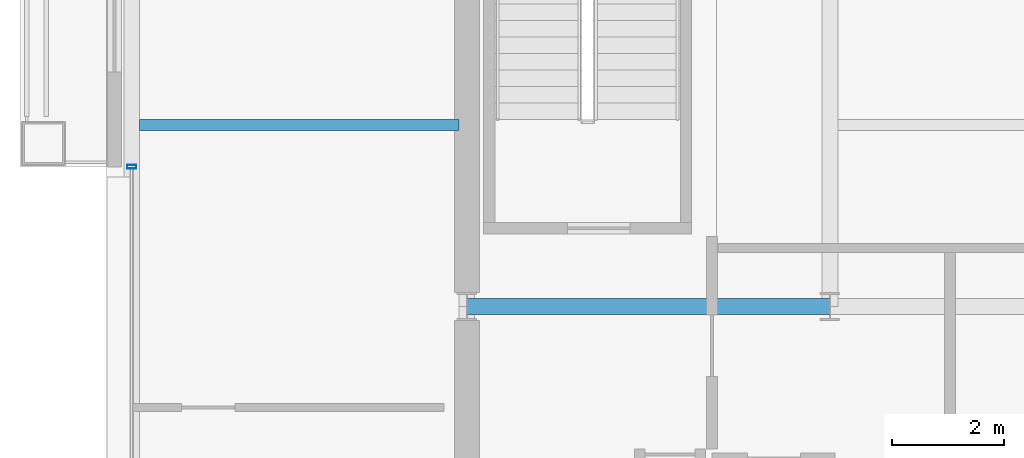
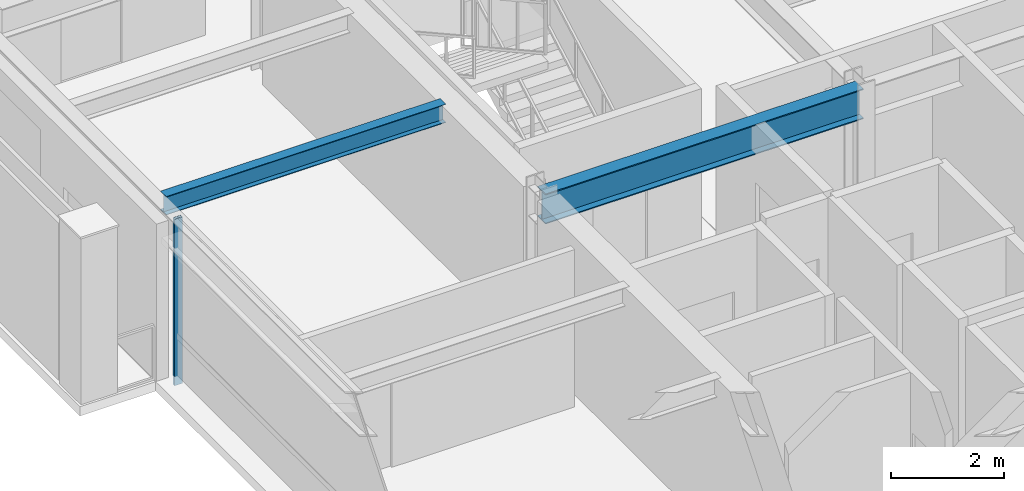
# One storey, part 10 of 30: 2 beams, 1 member, 1 element without a shape of its own.
"""IFC4 building model written with IfcOpenShell, lengths in metres."""

import ifcopenshell
import ifcopenshell.guid

model = None  # the IFC model being written
_history = None  # IfcOwnerHistory: only IFC2X3 demands one
_inside = {}  # id of a spatial element -> (the spatial element, [elements in it])
_under = {}  # id of a project, library or spatial element -> (it, [spatial elements below it])
_declared = {}  # id of a project -> (the project, [libraries it declares])
_typed = {}  # id of a type object -> (the type object, [elements of that type])
_made_of = {}  # id of a material, layer set ... -> (it, [elements and type objects made of it])


def new_model(schema):
    """Start an empty IFC model of exactly this schema.

    Asked for "IFC4X3", IfcOpenShell would pick the latest addendum, in which some entities
    have other attributes; the version numbers below select the first issue.
    IFC2X3 requires an IfcOwnerHistory on every rooted entity: one is made here for all.
    """
    global model, _history
    if schema == "IFC4X3":
        model = ifcopenshell.file(schema_version=(4, 3, 0, 0))
    else:
        model = ifcopenshell.file(schema=schema)
    _inside.clear()
    _under.clear()
    _declared.clear()
    _typed.clear()
    _made_of.clear()
    _history = None
    if model.schema == "IFC2X3":
        org = make("IfcOrganization", Name="unknown")
        user = make(
            "IfcPersonAndOrganization",
            ThePerson=make("IfcPerson", FamilyName="unknown"),
            TheOrganization=org,
        )
        app = make(
            "IfcApplication",
            ApplicationDeveloper=org,
            Version="unknown",
            ApplicationFullName="unknown",
            ApplicationIdentifier="unknown",
        )
        _history = make(
            "IfcOwnerHistory",
            OwningUser=user,
            OwningApplication=app,
            ChangeAction="ADDED",
            CreationDate=0,
        )
    return model


def make(cls, **values):
    """One entity of the class cls with the attributes given. An attribute that is None is left unset."""
    return model.create_entity(
        cls, **{name: value for name, value in values.items() if value is not None}
    )


def rooted(cls, **values):
    """An entity with a GlobalId (a new one), such as an element, a storey or a relation."""
    return make(cls, GlobalId=ifcopenshell.guid.new(), OwnerHistory=_history, **values)


def si_unit(unit_type, name, prefix=None):
    """IfcSIUnit, for example si_unit("LENGTHUNIT", "METRE", prefix="MILLI")."""
    return make("IfcSIUnit", UnitType=unit_type, Prefix=prefix, Name=name)


def assignment(units):
    """IfcUnitAssignment: the units of a project."""
    return None if units is None else make("IfcUnitAssignment", Units=units)


def point(xyz):
    """IfcCartesianPoint."""
    return None if xyz is None else make("IfcCartesianPoint", Coordinates=xyz)


def direction(xyz):
    """IfcDirection."""
    return None if xyz is None else make("IfcDirection", DirectionRatios=xyz)


def frame(location, z_axis=None, x_axis=None):
    """IfcAxis2Placement3D, a coordinate frame: its origin and axes. An axis left out is left unset."""
    return make(
        "IfcAxis2Placement3D",
        Location=point(location),
        Axis=direction(z_axis),
        RefDirection=direction(x_axis),
    )


def frame_2d(location, x_axis=None):
    """IfcAxis2Placement2D, a coordinate frame in the plane: its origin and x axis."""
    return make(
        "IfcAxis2Placement2D", Location=point(location), RefDirection=direction(x_axis)
    )


def origin():
    """The frame at (0, 0, 0) with its axes left unset."""
    return frame((0.0, 0.0, 0.0))


def origin_2d():
    """The frame at (0, 0) in the plane with its x axis left unset."""
    return frame_2d((0.0, 0.0))


def place(relative_to, where):
    """IfcLocalPlacement: puts the frame where relative to a parent placement (None: the world)."""
    return make(
        "IfcLocalPlacement", PlacementRelTo=relative_to, RelativePlacement=where
    )


def context(
    kind, dimensions, precision=None, world=None, true_north=None, identifier=None
):
    """IfcGeometricRepresentationContext, for example the 3D "Model" context."""
    return make(
        "IfcGeometricRepresentationContext",
        ContextIdentifier=identifier,
        ContextType=kind,
        CoordinateSpaceDimension=dimensions,
        Precision=precision,
        WorldCoordinateSystem=world,
        TrueNorth=true_north,
    )


def subcontext(parent, identifier, kind, view, scale=None):
    """IfcGeometricRepresentationSubContext, for example "Body" below "Model"."""
    return make(
        "IfcGeometricRepresentationSubContext",
        ContextIdentifier=identifier,
        ContextType=kind,
        ParentContext=parent,
        TargetScale=scale,
        TargetView=view,
    )


def project(units=None, contexts=None):
    """IfcProject with its units and contexts."""
    return rooted(
        "IfcProject",
        Name="project",
        RepresentationContexts=contexts,
        UnitsInContext=assignment(units),
    )


def spatial(cls, under=None, at=None, **own):
    """A site, building, storey or space (cls), placed at a placement, below another one or the project."""
    s = rooted(cls, ObjectPlacement=at, **own)
    if under is not None:
        _under.setdefault(under.id(), (under, []))[1].append(s)
    return s


def profile(cls, at=None, kind="AREA", **sizes):
    """A parametric profile (cls). Its sizes go by their IFC names, for example OverallWidth=200.0."""
    return make(cls, ProfileType=kind, Position=at, **sizes)


def hollow_rectangle(**sizes):
    """IfcRectangleHollowProfileDef."""
    return profile("IfcRectangleHollowProfileDef", **sizes)


def i_section(**sizes):
    """IfcIShapeProfileDef."""
    return profile("IfcIShapeProfileDef", **sizes)


def extrude(swept, where, along, depth):
    """IfcExtrudedAreaSolid: the profile swept, set in the frame where, extruded along a direction by depth."""
    return make(
        "IfcExtrudedAreaSolid",
        SweptArea=swept,
        Position=where,
        ExtrudedDirection=direction(along),
        Depth=depth,
    )


def shape(context_of_items, identifier, shape_type, items):
    """IfcShapeRepresentation: the items that make up one representation, for example the "Body"."""
    return make(
        "IfcShapeRepresentation",
        ContextOfItems=context_of_items,
        RepresentationIdentifier=identifier,
        RepresentationType=shape_type,
        Items=items,
    )


def material(Name=None, Category=None):
    """IfcMaterial."""
    return make("IfcMaterial", Name=Name, Category=Category)


def layer(
    of_material, thickness, ventilated=None, Name=None, Category=None, Priority=None
):
    """IfcMaterialLayer: one layer of a wall or slab, of a material (None: an air gap)."""
    return make(
        "IfcMaterialLayer",
        Material=of_material,
        LayerThickness=thickness,
        IsVentilated=ventilated,
        Name=Name,
        Category=Category,
        Priority=Priority,
    )


def layer_set(layers, Name=None):
    """IfcMaterialLayerSet."""
    return make("IfcMaterialLayerSet", MaterialLayers=layers, LayerSetName=Name)


def material_profile(
    of_material, cross_section, Name=None, Category=None, Priority=None
):
    """IfcMaterialProfile: a cross section and its material."""
    return make(
        "IfcMaterialProfile",
        Name=Name,
        Material=of_material,
        Profile=cross_section,
        Priority=Priority,
        Category=Category,
    )


def profile_set(profiles, Name=None, composite=None):
    """IfcMaterialProfileSet."""
    return make(
        "IfcMaterialProfileSet",
        Name=Name,
        MaterialProfiles=profiles,
        CompositeProfile=composite,
    )


def made_of(thing, what):
    """Note that an element or type object is made of a material, layer set ...; save() writes the relation."""
    if what is not None:
        _made_of.setdefault(what.id(), (what, []))[1].append(thing)
    return thing


def type_object(cls, material=None, **own):
    """A type object (cls), such as IfcWallType, which elements share."""
    return made_of(rooted(cls, **own), material)


def element(
    cls,
    number,
    at=None,
    inside=None,
    cuts=None,
    type_object=None,
    material=None,
    context=None,
    identifier="Body",
    shape_type=None,
    held_by="IfcProductDefinitionShape",
    body=None,
    shapes=None,
    **own,
):
    """One element of the class cls, such as IfcWall. Its Tag is "e" and its number.

    at: its placement. inside: the storey or other place that contains it. cuts: it is an
    opening in that element (IfcRelVoidsElement). A single representation is given by context,
    identifier, shape_type and body (its items); several are given by shapes. held_by: the class
    of the entity that holds the representations. save() writes the other relations.
    """
    e = rooted(cls, Tag="e%d" % number, ObjectPlacement=at, **own)
    if body is not None:
        shapes = [shape(context, identifier, shape_type, body)]
    if shapes is not None:
        e.Representation = make(held_by, Representations=shapes)
    if inside is not None:
        _inside.setdefault(inside.id(), (inside, []))[1].append(e)
    if cuts is not None:
        rooted(
            "IfcRelVoidsElement", RelatingBuildingElement=cuts, RelatedOpeningElement=e
        )
    if type_object is not None:
        _typed.setdefault(type_object.id(), (type_object, []))[1].append(e)
    return made_of(e, material)


def aggregate(whole, parts):
    """IfcRelAggregates: a whole, such as a stair, and the parts it consists of."""
    return rooted("IfcRelAggregates", RelatingObject=whole, RelatedObjects=parts)


def save(model, path):
    """Write the relations noted so far, then the file.

    IfcRelAggregates (storeys below a building ...), IfcRelContainedInSpatialStructure (elements
    in a storey), IfcRelDefinesByType, IfcRelAssociatesMaterial and IfcRelDeclares: one each for
    every whole, place, type object, material and project.
    """
    for whole, parts in _under.values():
        aggregate(whole, parts)
    for where, things in _inside.values():
        rooted(
            "IfcRelContainedInSpatialStructure",
            RelatedElements=things,
            RelatingStructure=where,
        )
    for kind, things in _typed.values():
        rooted("IfcRelDefinesByType", RelatedObjects=things, RelatingType=kind)
    for what, things in _made_of.values():
        rooted("IfcRelAssociatesMaterial", RelatedObjects=things, RelatingMaterial=what)
    for by, libraries in _declared.values():
        rooted("IfcRelDeclares", RelatingContext=by, RelatedDefinitions=libraries)
    model.write(path)


model = new_model("IFC4")

# Units and contexts
model_context = context("Model", 3, precision=1e-05, world=origin(), true_north=direction((0.0, 1.0)))
body_context = subcontext(model_context, "Body", "Model", "MODEL_VIEW")
ifc_project = project(units=[si_unit("LENGTHUNIT", "METRE"), si_unit("AREAUNIT", "SQUARE_METRE"), si_unit("VOLUMEUNIT", "CUBIC_METRE"), si_unit("PLANEANGLEUNIT", "RADIAN"), si_unit("MASSUNIT", "GRAM", prefix="KILO")], contexts=[model_context])

# Site, building, storey
site_placement = place(None, origin())
site = spatial("IfcSite", under=ifc_project, at=site_placement, CompositionType="ELEMENT")
building_placement = place(site_placement, origin())
building = spatial("IfcBuilding", under=site, at=building_placement, Name="Brelmoor Portico Tower", CompositionType="ELEMENT")
storey_placement = place(building_placement, frame((0.0, 0.0, 173.10009765625)))
storey = spatial("IfcBuildingStorey", under=building, at=storey_placement, Name="L45", CompositionType="ELEMENT", Elevation=173.10009765625)

# Beams
ifc_material_1 = material(Name="Steel Q355B", Category="steel")
ifc_material_profile_1 = material_profile(ifc_material_1, i_section(OverallWidth=0.199951171875, OverallDepth=0.39990234375, WebThickness=0.008056640625, FlangeThickness=0.012939453125, at=origin_2d()), Name="HN 400x200x8x13")
ifc_profile_set_1 = profile_set([ifc_material_profile_1], Name="Steel Q355B")
beam_type_1 = type_object("IfcBeamType", Name="BM-JS-400", PredefinedType="JOIST", material=ifc_profile_set_1)
beam_1_placement = place(storey_placement, frame((-20.409912109375, 3.25, 3.199951171875), z_axis=(1.0, 0.0, 0.0), x_axis=(0.0, 1.0, 0.0)))
element("IfcBeam", 1, at=beam_1_placement, inside=storey, type_object=beam_type_1, Name="L45 Secondary Wing Joist JS-W07", PredefinedType="JOIST", context=body_context, shape_type="SweptSolid", body=[
    extrude(i_section(OverallWidth=0.199951171875, OverallDepth=0.39990234375, WebThickness=0.008056640625, FlangeThickness=0.012939453125, at=origin_2d()), origin(), (0.0, 0.0, 1.0), 5.719970703125),
])
ifc_material_profile_2 = material_profile(ifc_material_1, i_section(OverallWidth=0.280029296875, OverallDepth=0.64990234375, WebThickness=0.012939453125, FlangeThickness=0.02197265625, at=origin_2d()), Name="HN 650x280x13x22")
ifc_profile_set_2 = profile_set([ifc_material_profile_2], Name="Steel Q355B")
beam_type_2 = type_object("IfcBeamType", Name="BM-PG-650", PredefinedType="BEAM", material=ifc_profile_set_2)
beam_2_placement = place(storey_placement, frame((-14.550048828125, 0.0, 3.074951171875), z_axis=(1.0, 0.0, 0.0), x_axis=(0.0, 1.0, 0.0)))
element("IfcBeam", 2, at=beam_2_placement, inside=storey, type_object=beam_type_2, Name="L45 Primary Floor Girder PG-16", PredefinedType="BEAM", context=body_context, shape_type="SweptSolid", body=[
    extrude(i_section(OverallWidth=0.280029296875, OverallDepth=0.64990234375, WebThickness=0.012939453125, FlangeThickness=0.02197265625, at=origin_2d()), origin(), (0.0, 0.0, 1.0), 6.5),
])

# Curtain wall, member
ifc_material_2 = material(Name="Anodised Aluminium Alloy 6063-T6", Category="aluminium")
ifc_layer = layer(ifc_material_2, 0.179931640625)
ifc_layer_set = layer_set([ifc_layer], Name="Anodised Aluminium Alloy 6063-T6")
curtain_wall_type = type_object("IfcCurtainWallType", Name="CW-TOWER-Z3", PredefinedType="NOTDEFINED", material=ifc_layer_set)
curtain_wall_placement = place(storey_placement, origin())
curtain_wall = element("IfcCurtainWall", 3, at=curtain_wall_placement, inside=storey, type_object=curtain_wall_type, Name="L45 Curtain Wall CW-L45-3L-2", PredefinedType="NOTDEFINED")
ifc_material_profile_3 = material_profile(ifc_material_2, hollow_rectangle(XDim=0.06494140625, YDim=0.1650390625, WallThickness=0.00390625, at=origin_2d()), Name="ALU MULLION 65x165")
ifc_profile_set_3 = profile_set([ifc_material_profile_3], Name="Anodised Aluminium Alloy 6063-T6")
member_type = type_object("IfcMemberType", Name="MB-CW-MULL-165", PredefinedType="MULLION", material=ifc_profile_set_3)
member_placement = place(storey_placement, frame((-20.550048828125, 2.5, -0.2001953125), z_axis=(0.0, 0.0, 1.0), x_axis=(0.0, 1.0, 0.0)))
member = element("IfcMember", 4, at=member_placement, type_object=member_type, Name="CW-L45-3L-2 Mullion 01", PredefinedType="MULLION", context=body_context, shape_type="SweptSolid", body=[
    extrude(hollow_rectangle(XDim=0.06494140625, YDim=0.1650390625, WallThickness=0.00390625, at=origin_2d()), origin(), (0.0, 0.0, 1.0), 3.60009765625),
])
aggregate(curtain_wall, [member])

save(model, "model.ifc")
